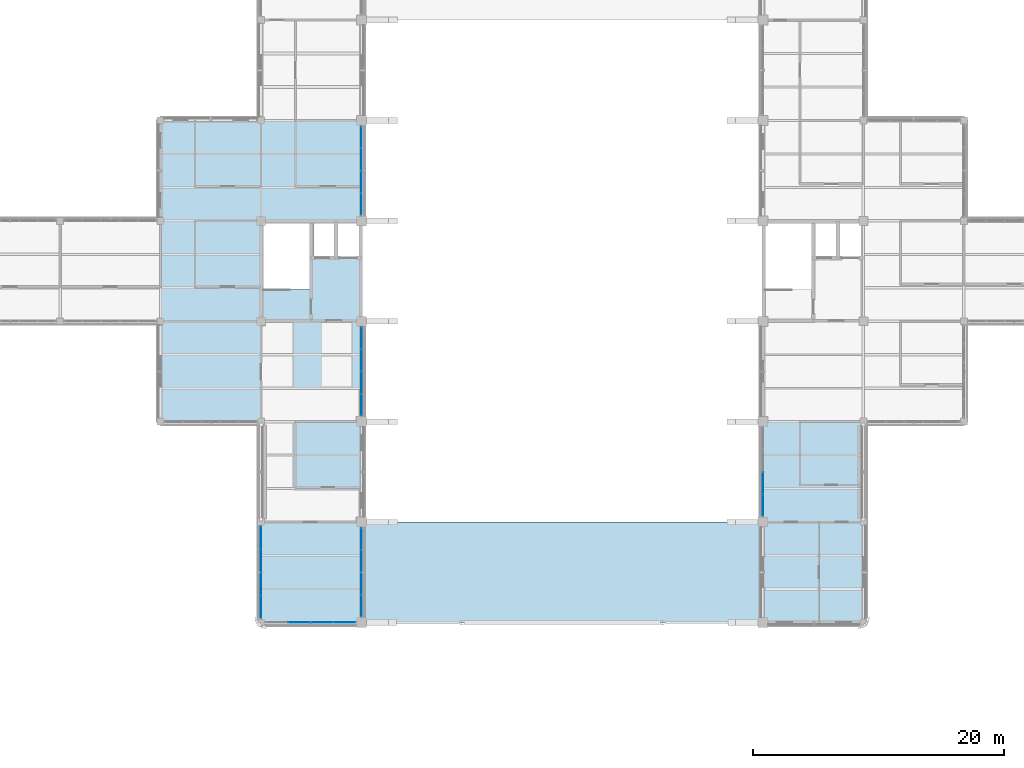
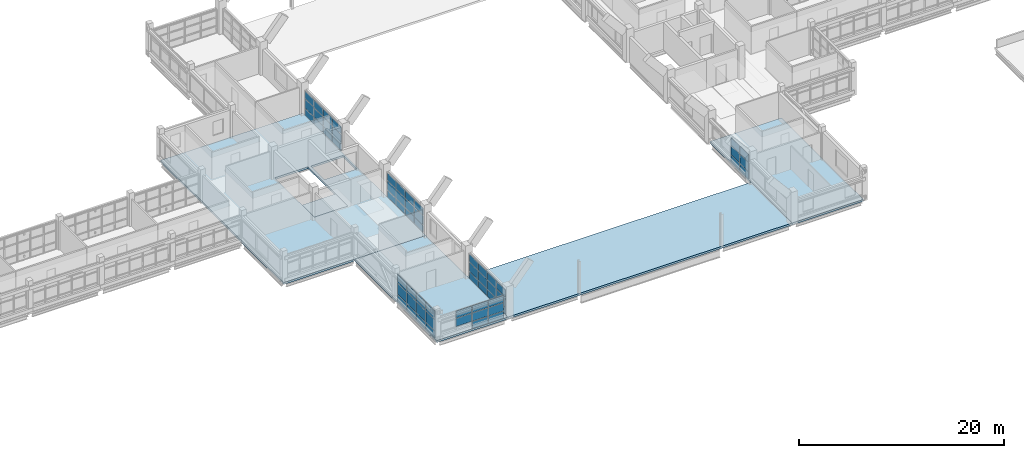
# One storey, part 51 of 92: 62 plates, 5 slabs, 6 elements without a shape of their own.
"""IFC4 building model written with IfcOpenShell, lengths in metres."""

from ifc_helpers import new_model, si_unit, derived_unit, direction, frame, origin, origin_2d, place, context, subcontext, project, spatial, polyline, rectangle, outline, extrude, material, layer, layer_set, type_object, element, aggregate, save


model = new_model("IFC4")

# Units and contexts
model_context = context("Model", 3, precision=1e-05, world=origin(), true_north=direction((0.0, 1.0)))
body_context = subcontext(model_context, "Body", "Model", "MODEL_VIEW")
ifc_project = project(units=[si_unit("LENGTHUNIT", "METRE"), si_unit("AREAUNIT", "SQUARE_METRE"), si_unit("VOLUMEUNIT", "CUBIC_METRE"), si_unit("PLANEANGLEUNIT", "RADIAN"), si_unit("MASSUNIT", "GRAM", prefix="KILO"), derived_unit("THERMALTRANSMITTANCEUNIT", [(si_unit("MASSUNIT", "GRAM", prefix="KILO"), 1), (si_unit("TIMEUNIT", "SECOND"), -3), (si_unit("THERMODYNAMICTEMPERATUREUNIT", "KELVIN"), -1)])], contexts=[model_context])

# Site, building, storey
site_placement = place(None, origin())
site = spatial("IfcSite", under=ifc_project, at=site_placement, CompositionType="ELEMENT")
building_placement = place(site_placement, origin())
building = spatial("IfcBuilding", under=site, at=building_placement, Name="Veyamyaing Civic Hall", CompositionType="ELEMENT")
storey_placement = place(building_placement, frame((0.0, 0.0, 17.820068359375)))
storey = spatial("IfcBuildingStorey", under=building, at=storey_placement, Name="L04", CompositionType="ELEMENT", Elevation=17.820068359375)

# Curtain wall, plates
ifc_material_1 = material(Name="Anodised aluminium 6063-T6", Category="aluminium")
ifc_layer_1 = layer(ifc_material_1, 0.159912109375, Name="Anodised aluminium 6063-T6")
ifc_layer_set_1 = layer_set([ifc_layer_1], Name="Anodised aluminium 6063-T6")
curtain_wall_type = type_object("IfcCurtainWallType", Name="CW-08", PredefinedType="NOTDEFINED", material=ifc_layer_set_1)
curtain_wall_1_placement = place(storey_placement, origin())
curtain_wall_1 = element("IfcCurtainWall", 1, at=curtain_wall_1_placement, inside=storey, type_object=curtain_wall_type, Name="Unitized curtain wall CW-08 L04 E 9.6", PredefinedType="NOTDEFINED")
ifc_material_2 = material(Name="Low-E insulated glass", Category="glass")
ifc_layer_2 = layer(ifc_material_2, 0.028076171875, Name="Low-E insulated glass")
ifc_layer_set_2 = layer_set([ifc_layer_2], Name="Low-E insulated glass")
plate_type_1 = type_object("IfcPlateType", Name="CWP-01", PredefinedType="CURTAIN_PANEL", material=ifc_layer_set_2)
plate_1_placement = place(storey_placement, frame((72.0, 41.3388671875, 0.06494140625), z_axis=(0.0, 0.0, 1.0), x_axis=(0.0, 1.0, 0.0)))
plate_1 = element("IfcPlate", 2, at=plate_1_placement, type_object=plate_type_1, Name="CW-08 panel 1.1", PredefinedType="CURTAIN_PANEL", context=body_context, shape_type="SweptSolid", body=[
    extrude(rectangle(XDim=1.6875, YDim=0.028076171875, at=origin_2d()), origin(), (0.0, 0.0, 1.0), 0.802490234375),
])
plate_2_placement = place(storey_placement, frame((72.0, 41.3388671875, 0.9326171875), z_axis=(0.0, 0.0, 1.0), x_axis=(0.0, 1.0, 0.0)))
plate_2 = element("IfcPlate", 3, at=plate_2_placement, type_object=plate_type_1, Name="CW-08 panel 1.2", PredefinedType="CURTAIN_PANEL", context=body_context, shape_type="SweptSolid", body=[
    extrude(rectangle(XDim=1.6875, YDim=0.028076171875, at=origin_2d()), origin(), (0.0, 0.0, 1.0), 1.076416015625),
])
plate_3_placement = place(storey_placement, frame((72.0, 41.3388671875, 2.07373046875), z_axis=(0.0, 0.0, 1.0), x_axis=(0.0, 1.0, 0.0)))
plate_3 = element("IfcPlate", 4, at=plate_3_placement, type_object=plate_type_1, Name="CW-08 panel 1.3", PredefinedType="CURTAIN_PANEL", context=body_context, shape_type="SweptSolid", body=[
    extrude(rectangle(XDim=1.6875, YDim=0.028076171875, at=origin_2d()), origin(), (0.0, 0.0, 1.0), 0.863037109375),
])
plate_4_placement = place(storey_placement, frame((72.0, 43.107421875, 0.06494140625), z_axis=(0.0, 0.0, 1.0), x_axis=(0.0, 1.0, 0.0)))
plate_4 = element("IfcPlate", 5, at=plate_4_placement, type_object=plate_type_1, Name="CW-08 panel 2.1", PredefinedType="CURTAIN_PANEL", context=body_context, shape_type="SweptSolid", body=[
    extrude(rectangle(XDim=1.719970703125, YDim=0.028076171875, at=origin_2d()), origin(), (0.0, 0.0, 1.0), 0.802490234375),
])
plate_5_placement = place(storey_placement, frame((72.0, 43.107421875, 0.9326171875), z_axis=(0.0, 0.0, 1.0), x_axis=(0.0, 1.0, 0.0)))
plate_5 = element("IfcPlate", 6, at=plate_5_placement, type_object=plate_type_1, Name="CW-08 panel 2.2", PredefinedType="CURTAIN_PANEL", context=body_context, shape_type="SweptSolid", body=[
    extrude(rectangle(XDim=1.719970703125, YDim=0.028076171875, at=origin_2d()), origin(), (0.0, 0.0, 1.0), 1.076416015625),
])
plate_6_placement = place(storey_placement, frame((72.0, 43.107421875, 2.07373046875), z_axis=(0.0, 0.0, 1.0), x_axis=(0.0, 1.0, 0.0)))
plate_6 = element("IfcPlate", 7, at=plate_6_placement, type_object=plate_type_1, Name="CW-08 panel 2.3", PredefinedType="CURTAIN_PANEL", context=body_context, shape_type="SweptSolid", body=[
    extrude(rectangle(XDim=1.719970703125, YDim=0.028076171875, at=origin_2d()), origin(), (0.0, 0.0, 1.0), 0.863037109375),
])
plate_7_placement = place(storey_placement, frame((72.0, 44.892578125, 0.06494140625), z_axis=(0.0, 0.0, 1.0), x_axis=(0.0, 1.0, 0.0)))
plate_7 = element("IfcPlate", 8, at=plate_7_placement, type_object=plate_type_1, Name="CW-08 panel 3.1", PredefinedType="CURTAIN_PANEL", context=body_context, shape_type="SweptSolid", body=[
    extrude(rectangle(XDim=1.719970703125, YDim=0.028076171875, at=origin_2d()), origin(), (0.0, 0.0, 1.0), 0.802490234375),
])
plate_8_placement = place(storey_placement, frame((72.0, 44.892578125, 0.9326171875), z_axis=(0.0, 0.0, 1.0), x_axis=(0.0, 1.0, 0.0)))
plate_8 = element("IfcPlate", 9, at=plate_8_placement, type_object=plate_type_1, Name="CW-08 panel 3.2", PredefinedType="CURTAIN_PANEL", context=body_context, shape_type="SweptSolid", body=[
    extrude(rectangle(XDim=1.719970703125, YDim=0.028076171875, at=origin_2d()), origin(), (0.0, 0.0, 1.0), 1.076416015625),
])
plate_9_placement = place(storey_placement, frame((72.0, 44.892578125, 2.07373046875), z_axis=(0.0, 0.0, 1.0), x_axis=(0.0, 1.0, 0.0)))
plate_9 = element("IfcPlate", 10, at=plate_9_placement, type_object=plate_type_1, Name="CW-08 panel 3.3", PredefinedType="CURTAIN_PANEL", context=body_context, shape_type="SweptSolid", body=[
    extrude(rectangle(XDim=1.719970703125, YDim=0.028076171875, at=origin_2d()), origin(), (0.0, 0.0, 1.0), 0.863037109375),
])
plate_10_placement = place(storey_placement, frame((72.0, 46.6611328125, 0.06494140625), z_axis=(0.0, 0.0, 1.0), x_axis=(0.0, 1.0, 0.0)))
plate_10 = element("IfcPlate", 11, at=plate_10_placement, type_object=plate_type_1, Name="CW-08 panel 4.1", PredefinedType="CURTAIN_PANEL", context=body_context, shape_type="SweptSolid", body=[
    extrude(rectangle(XDim=1.6875, YDim=0.028076171875, at=origin_2d()), origin(), (0.0, 0.0, 1.0), 0.802490234375),
])
plate_11_placement = place(storey_placement, frame((72.0, 46.6611328125, 0.9326171875), z_axis=(0.0, 0.0, 1.0), x_axis=(0.0, 1.0, 0.0)))
plate_11 = element("IfcPlate", 12, at=plate_11_placement, type_object=plate_type_1, Name="CW-08 panel 4.2", PredefinedType="CURTAIN_PANEL", context=body_context, shape_type="SweptSolid", body=[
    extrude(rectangle(XDim=1.6875, YDim=0.028076171875, at=origin_2d()), origin(), (0.0, 0.0, 1.0), 1.076416015625),
])
plate_12_placement = place(storey_placement, frame((72.0, 46.6611328125, 2.07373046875), z_axis=(0.0, 0.0, 1.0), x_axis=(0.0, 1.0, 0.0)))
plate_12 = element("IfcPlate", 13, at=plate_12_placement, type_object=plate_type_1, Name="CW-08 panel 4.3", PredefinedType="CURTAIN_PANEL", context=body_context, shape_type="SweptSolid", body=[
    extrude(rectangle(XDim=1.6875, YDim=0.028076171875, at=origin_2d()), origin(), (0.0, 0.0, 1.0), 0.863037109375),
])
aggregate(curtain_wall_1, [plate_1, plate_2, plate_3, plate_4, plate_5, plate_6, plate_7, plate_8, plate_9, plate_10, plate_11, plate_12])

curtain_wall_2_placement = place(storey_placement, origin())
curtain_wall_2 = element("IfcCurtainWall", 14, at=curtain_wall_2_placement, inside=storey, type_object=curtain_wall_type, Name="Unitized curtain wall CW-08 L04 E 9.8", PredefinedType="NOTDEFINED")
ifc_layer_3 = layer(ifc_material_2, 0.035888671875, Name="Low-E insulated glass")
ifc_layer_set_3 = layer_set([ifc_layer_3], Name="Low-E insulated glass")
plate_type_2 = type_object("IfcPlateType", Name="CWP-03", PredefinedType="CURTAIN_PANEL", material=ifc_layer_set_3)
plate_13_placement = place(storey_placement, frame((72.0, 57.3388671875, 0.06494140625), z_axis=(0.0, 0.0, 1.0), x_axis=(0.0, 1.0, 0.0)))
plate_13 = element("IfcPlate", 15, at=plate_13_placement, type_object=plate_type_2, Name="CW-08 panel 1.1", PredefinedType="CURTAIN_PANEL", context=body_context, shape_type="SweptSolid", body=[
    extrude(rectangle(XDim=1.6875, YDim=0.035888671875, at=origin_2d()), origin(), (0.0, 0.0, 1.0), 0.802490234375),
])
plate_14_placement = place(storey_placement, frame((72.0, 57.3388671875, 0.9326171875), z_axis=(0.0, 0.0, 1.0), x_axis=(0.0, 1.0, 0.0)))
plate_14 = element("IfcPlate", 16, at=plate_14_placement, type_object=plate_type_2, Name="CW-08 panel 1.2", PredefinedType="CURTAIN_PANEL", context=body_context, shape_type="SweptSolid", body=[
    extrude(rectangle(XDim=1.6875, YDim=0.035888671875, at=origin_2d()), origin(), (0.0, 0.0, 1.0), 1.076416015625),
])
plate_15_placement = place(storey_placement, frame((72.0, 57.3388671875, 2.07373046875), z_axis=(0.0, 0.0, 1.0), x_axis=(0.0, 1.0, 0.0)))
plate_15 = element("IfcPlate", 17, at=plate_15_placement, type_object=plate_type_2, Name="CW-08 panel 1.3", PredefinedType="CURTAIN_PANEL", context=body_context, shape_type="SweptSolid", body=[
    extrude(rectangle(XDim=1.6875, YDim=0.035888671875, at=origin_2d()), origin(), (0.0, 0.0, 1.0), 0.863037109375),
])
plate_16_placement = place(storey_placement, frame((72.0, 59.107421875, 0.06494140625), z_axis=(0.0, 0.0, 1.0), x_axis=(0.0, 1.0, 0.0)))
plate_16 = element("IfcPlate", 18, at=plate_16_placement, type_object=plate_type_2, Name="CW-08 panel 2.1", PredefinedType="CURTAIN_PANEL", context=body_context, shape_type="SweptSolid", body=[
    extrude(rectangle(XDim=1.719970703125, YDim=0.035888671875, at=origin_2d()), origin(), (0.0, 0.0, 1.0), 0.802490234375),
])
plate_17_placement = place(storey_placement, frame((72.0, 59.107421875, 0.9326171875), z_axis=(0.0, 0.0, 1.0), x_axis=(0.0, 1.0, 0.0)))
plate_17 = element("IfcPlate", 19, at=plate_17_placement, type_object=plate_type_2, Name="CW-08 panel 2.2", PredefinedType="CURTAIN_PANEL", context=body_context, shape_type="SweptSolid", body=[
    extrude(rectangle(XDim=1.719970703125, YDim=0.035888671875, at=origin_2d()), origin(), (0.0, 0.0, 1.0), 1.076416015625),
])
plate_18_placement = place(storey_placement, frame((72.0, 59.107421875, 2.07373046875), z_axis=(0.0, 0.0, 1.0), x_axis=(0.0, 1.0, 0.0)))
plate_18 = element("IfcPlate", 20, at=plate_18_placement, type_object=plate_type_2, Name="CW-08 panel 2.3", PredefinedType="CURTAIN_PANEL", context=body_context, shape_type="SweptSolid", body=[
    extrude(rectangle(XDim=1.719970703125, YDim=0.035888671875, at=origin_2d()), origin(), (0.0, 0.0, 1.0), 0.863037109375),
])
plate_19_placement = place(storey_placement, frame((72.0, 60.892578125, 0.06494140625), z_axis=(0.0, 0.0, 1.0), x_axis=(0.0, 1.0, 0.0)))
plate_19 = element("IfcPlate", 21, at=plate_19_placement, type_object=plate_type_2, Name="CW-08 panel 3.1", PredefinedType="CURTAIN_PANEL", context=body_context, shape_type="SweptSolid", body=[
    extrude(rectangle(XDim=1.719970703125, YDim=0.035888671875, at=origin_2d()), origin(), (0.0, 0.0, 1.0), 0.802490234375),
])
plate_20_placement = place(storey_placement, frame((72.0, 60.892578125, 0.9326171875), z_axis=(0.0, 0.0, 1.0), x_axis=(0.0, 1.0, 0.0)))
plate_20 = element("IfcPlate", 22, at=plate_20_placement, type_object=plate_type_2, Name="CW-08 panel 3.2", PredefinedType="CURTAIN_PANEL", context=body_context, shape_type="SweptSolid", body=[
    extrude(rectangle(XDim=1.719970703125, YDim=0.035888671875, at=origin_2d()), origin(), (0.0, 0.0, 1.0), 1.076416015625),
])
plate_21_placement = place(storey_placement, frame((72.0, 60.892578125, 2.07373046875), z_axis=(0.0, 0.0, 1.0), x_axis=(0.0, 1.0, 0.0)))
plate_21 = element("IfcPlate", 23, at=plate_21_placement, type_object=plate_type_2, Name="CW-08 panel 3.3", PredefinedType="CURTAIN_PANEL", context=body_context, shape_type="SweptSolid", body=[
    extrude(rectangle(XDim=1.719970703125, YDim=0.035888671875, at=origin_2d()), origin(), (0.0, 0.0, 1.0), 0.863037109375),
])
plate_22_placement = place(storey_placement, frame((72.0, 62.6611328125, 0.06494140625), z_axis=(0.0, 0.0, 1.0), x_axis=(0.0, 1.0, 0.0)))
plate_22 = element("IfcPlate", 24, at=plate_22_placement, type_object=plate_type_2, Name="CW-08 panel 4.1", PredefinedType="CURTAIN_PANEL", context=body_context, shape_type="SweptSolid", body=[
    extrude(rectangle(XDim=1.6875, YDim=0.035888671875, at=origin_2d()), origin(), (0.0, 0.0, 1.0), 0.802490234375),
])
plate_23_placement = place(storey_placement, frame((72.0, 62.6611328125, 0.9326171875), z_axis=(0.0, 0.0, 1.0), x_axis=(0.0, 1.0, 0.0)))
plate_23 = element("IfcPlate", 25, at=plate_23_placement, type_object=plate_type_2, Name="CW-08 panel 4.2", PredefinedType="CURTAIN_PANEL", context=body_context, shape_type="SweptSolid", body=[
    extrude(rectangle(XDim=1.6875, YDim=0.035888671875, at=origin_2d()), origin(), (0.0, 0.0, 1.0), 1.076416015625),
])
plate_24_placement = place(storey_placement, frame((72.0, 62.6611328125, 2.07373046875), z_axis=(0.0, 0.0, 1.0), x_axis=(0.0, 1.0, 0.0)))
plate_24 = element("IfcPlate", 26, at=plate_24_placement, type_object=plate_type_2, Name="CW-08 panel 4.3", PredefinedType="CURTAIN_PANEL", context=body_context, shape_type="SweptSolid", body=[
    extrude(rectangle(XDim=1.6875, YDim=0.035888671875, at=origin_2d()), origin(), (0.0, 0.0, 1.0), 0.863037109375),
])
aggregate(curtain_wall_2, [plate_13, plate_14, plate_15, plate_16, plate_17, plate_18, plate_19, plate_20, plate_21, plate_22, plate_23, plate_24])

curtain_wall_3_placement = place(storey_placement, origin())
curtain_wall_3 = element("IfcCurtainWall", 27, at=curtain_wall_3_placement, inside=storey, type_object=curtain_wall_type, Name="Unitized curtain wall CW-08 L04 S 9.4", PredefinedType="NOTDEFINED")
ifc_layer_4 = layer(ifc_material_2, 0.0400390625, Name="Low-E insulated glass")
ifc_layer_set_4 = layer_set([ifc_layer_4], Name="Low-E insulated glass")
plate_type_3 = type_object("IfcPlateType", Name="CWP-05", PredefinedType="CURTAIN_PANEL", material=ifc_layer_set_4)
plate_25_placement = place(storey_placement, frame((67.029296875, 24.0, 0.932373046875), z_axis=(0.0, 0.0, 1.0), x_axis=(1.0, 0.0, 0.0)))
plate_25 = element("IfcPlate", 28, at=plate_25_placement, type_object=plate_type_3, Name="CW-08 panel 2.2", PredefinedType="CURTAIN_PANEL", context=body_context, shape_type="SweptSolid", body=[
    extrude(rectangle(XDim=1.751220703125, YDim=0.0400390625, at=origin_2d()), origin(), (0.0, 0.0, 1.0), 0.95068359375),
])
plate_26_placement = place(storey_placement, frame((67.029296875, 24.0, 1.9482421875), z_axis=(0.0, 0.0, 1.0), x_axis=(1.0, 0.0, 0.0)))
plate_26 = element("IfcPlate", 29, at=plate_26_placement, type_object=plate_type_3, Name="CW-08 panel 2.3", PredefinedType="CURTAIN_PANEL", context=body_context, shape_type="SweptSolid", body=[
    extrude(rectangle(XDim=1.751220703125, YDim=0.0400390625, at=origin_2d()), origin(), (0.0, 0.0, 1.0), 0.803955078125),
])
plate_27_placement = place(storey_placement, frame((68.845703125, 24.0, 0.06494140625), z_axis=(0.0, 0.0, 1.0), x_axis=(1.0, 0.0, 0.0)))
plate_27 = element("IfcPlate", 30, at=plate_27_placement, type_object=plate_type_3, Name="CW-08 panel 3.1", PredefinedType="CURTAIN_PANEL", context=body_context, shape_type="SweptSolid", body=[
    extrude(rectangle(XDim=1.751220703125, YDim=0.0400390625, at=origin_2d()), origin(), (0.0, 0.0, 1.0), 0.802490234375),
])
plate_28_placement = place(storey_placement, frame((68.845703125, 24.0, 0.932373046875), z_axis=(0.0, 0.0, 1.0), x_axis=(1.0, 0.0, 0.0)))
plate_28 = element("IfcPlate", 31, at=plate_28_placement, type_object=plate_type_3, Name="CW-08 panel 3.2", PredefinedType="CURTAIN_PANEL", context=body_context, shape_type="SweptSolid", body=[
    extrude(rectangle(XDim=1.751220703125, YDim=0.0400390625, at=origin_2d()), origin(), (0.0, 0.0, 1.0), 0.95068359375),
])
plate_29_placement = place(storey_placement, frame((68.845703125, 24.0, 1.9482421875), z_axis=(0.0, 0.0, 1.0), x_axis=(1.0, 0.0, 0.0)))
plate_29 = element("IfcPlate", 32, at=plate_29_placement, type_object=plate_type_3, Name="CW-08 panel 3.3", PredefinedType="CURTAIN_PANEL", context=body_context, shape_type="SweptSolid", body=[
    extrude(rectangle(XDim=1.751220703125, YDim=0.0400390625, at=origin_2d()), origin(), (0.0, 0.0, 1.0), 0.803955078125),
])
plate_30_placement = place(storey_placement, frame((70.6455078125, 24.0, 0.06494140625), z_axis=(0.0, 0.0, 1.0), x_axis=(1.0, 0.0, 0.0)))
plate_30 = element("IfcPlate", 33, at=plate_30_placement, type_object=plate_type_3, Name="CW-08 panel 4.1", PredefinedType="CURTAIN_PANEL", context=body_context, shape_type="SweptSolid", body=[
    extrude(rectangle(XDim=1.71875, YDim=0.0400390625, at=origin_2d()), origin(), (0.0, 0.0, 1.0), 0.802490234375),
])
plate_31_placement = place(storey_placement, frame((70.6455078125, 24.0, 0.932373046875), z_axis=(0.0, 0.0, 1.0), x_axis=(1.0, 0.0, 0.0)))
plate_31 = element("IfcPlate", 34, at=plate_31_placement, type_object=plate_type_3, Name="CW-08 panel 4.2", PredefinedType="CURTAIN_PANEL", context=body_context, shape_type="SweptSolid", body=[
    extrude(rectangle(XDim=1.71875, YDim=0.0400390625, at=origin_2d()), origin(), (0.0, 0.0, 1.0), 0.95068359375),
])
plate_32_placement = place(storey_placement, frame((70.6455078125, 24.0, 1.9482421875), z_axis=(0.0, 0.0, 1.0), x_axis=(1.0, 0.0, 0.0)))
plate_32 = element("IfcPlate", 35, at=plate_32_placement, type_object=plate_type_3, Name="CW-08 panel 4.3", PredefinedType="CURTAIN_PANEL", context=body_context, shape_type="SweptSolid", body=[
    extrude(rectangle(XDim=1.71875, YDim=0.0400390625, at=origin_2d()), origin(), (0.0, 0.0, 1.0), 0.803955078125),
])
aggregate(curtain_wall_3, [plate_25, plate_26, plate_27, plate_28, plate_29, plate_30, plate_31, plate_32])

curtain_wall_4_placement = place(storey_placement, origin())
curtain_wall_4 = element("IfcCurtainWall", 36, at=curtain_wall_4_placement, inside=storey, type_object=curtain_wall_type, Name="Unitized curtain wall CW-08 L04 W 9.4", PredefinedType="NOTDEFINED")
plate_33_placement = place(storey_placement, frame((64.0, 25.2451171875, 0.06494140625), z_axis=(0.0, 0.0, 1.0), x_axis=(0.0, 1.0, 0.0)))
plate_33 = element("IfcPlate", 37, at=plate_33_placement, type_object=plate_type_3, Name="CW-08 panel 1.1", PredefinedType="CURTAIN_PANEL", context=body_context, shape_type="SweptSolid", body=[
    extrude(rectangle(XDim=1.75, YDim=0.0400390625, at=origin_2d()), origin(), (0.0, 0.0, 1.0), 0.802490234375),
])
plate_34_placement = place(storey_placement, frame((64.0, 25.2451171875, 0.932373046875), z_axis=(0.0, 0.0, 1.0), x_axis=(0.0, 1.0, 0.0)))
plate_34 = element("IfcPlate", 38, at=plate_34_placement, type_object=plate_type_3, Name="CW-08 panel 1.2", PredefinedType="CURTAIN_PANEL", context=body_context, shape_type="SweptSolid", body=[
    extrude(rectangle(XDim=1.75, YDim=0.0400390625, at=origin_2d()), origin(), (0.0, 0.0, 1.0), 1.314453125),
])
plate_35_placement = place(storey_placement, frame((64.0, 25.2451171875, 2.311767578125), z_axis=(0.0, 0.0, 1.0), x_axis=(0.0, 1.0, 0.0)))
plate_35 = element("IfcPlate", 39, at=plate_35_placement, type_object=plate_type_3, Name="CW-08 panel 1.3", PredefinedType="CURTAIN_PANEL", context=body_context, shape_type="SweptSolid", body=[
    extrude(rectangle(XDim=1.75, YDim=0.0400390625, at=origin_2d()), origin(), (0.0, 0.0, 1.0), 0.97509765625),
])
plate_36_placement = place(storey_placement, frame((64.0, 27.076171875, 0.06494140625), z_axis=(0.0, 0.0, 1.0), x_axis=(0.0, 1.0, 0.0)))
plate_36 = element("IfcPlate", 40, at=plate_36_placement, type_object=plate_type_3, Name="CW-08 panel 2.1", PredefinedType="CURTAIN_PANEL", context=body_context, shape_type="SweptSolid", body=[
    extrude(rectangle(XDim=1.782470703125, YDim=0.0400390625, at=origin_2d()), origin(), (0.0, 0.0, 1.0), 0.802490234375),
])
plate_37_placement = place(storey_placement, frame((64.0, 27.076171875, 0.932373046875), z_axis=(0.0, 0.0, 1.0), x_axis=(0.0, 1.0, 0.0)))
plate_37 = element("IfcPlate", 41, at=plate_37_placement, type_object=plate_type_3, Name="CW-08 panel 2.2", PredefinedType="CURTAIN_PANEL", context=body_context, shape_type="SweptSolid", body=[
    extrude(rectangle(XDim=1.782470703125, YDim=0.0400390625, at=origin_2d()), origin(), (0.0, 0.0, 1.0), 1.314453125),
])
plate_38_placement = place(storey_placement, frame((64.0, 27.076171875, 2.311767578125), z_axis=(0.0, 0.0, 1.0), x_axis=(0.0, 1.0, 0.0)))
plate_38 = element("IfcPlate", 42, at=plate_38_placement, type_object=plate_type_3, Name="CW-08 panel 2.3", PredefinedType="CURTAIN_PANEL", context=body_context, shape_type="SweptSolid", body=[
    extrude(rectangle(XDim=1.782470703125, YDim=0.0400390625, at=origin_2d()), origin(), (0.0, 0.0, 1.0), 0.97509765625),
])
plate_39_placement = place(storey_placement, frame((64.0, 28.923828125, 0.06494140625), z_axis=(0.0, 0.0, 1.0), x_axis=(0.0, 1.0, 0.0)))
plate_39 = element("IfcPlate", 43, at=plate_39_placement, type_object=plate_type_3, Name="CW-08 panel 3.1", PredefinedType="CURTAIN_PANEL", context=body_context, shape_type="SweptSolid", body=[
    extrude(rectangle(XDim=1.782470703125, YDim=0.0400390625, at=origin_2d()), origin(), (0.0, 0.0, 1.0), 0.802490234375),
])
plate_40_placement = place(storey_placement, frame((64.0, 28.923828125, 0.932373046875), z_axis=(0.0, 0.0, 1.0), x_axis=(0.0, 1.0, 0.0)))
plate_40 = element("IfcPlate", 44, at=plate_40_placement, type_object=plate_type_3, Name="CW-08 panel 3.2", PredefinedType="CURTAIN_PANEL", context=body_context, shape_type="SweptSolid", body=[
    extrude(rectangle(XDim=1.782470703125, YDim=0.0400390625, at=origin_2d()), origin(), (0.0, 0.0, 1.0), 1.314453125),
])
plate_41_placement = place(storey_placement, frame((64.0, 28.923828125, 2.311767578125), z_axis=(0.0, 0.0, 1.0), x_axis=(0.0, 1.0, 0.0)))
plate_41 = element("IfcPlate", 45, at=plate_41_placement, type_object=plate_type_3, Name="CW-08 panel 3.3", PredefinedType="CURTAIN_PANEL", context=body_context, shape_type="SweptSolid", body=[
    extrude(rectangle(XDim=1.782470703125, YDim=0.0400390625, at=origin_2d()), origin(), (0.0, 0.0, 1.0), 0.97509765625),
])
plate_42_placement = place(storey_placement, frame((64.0, 30.7548828125, 0.06494140625), z_axis=(0.0, 0.0, 1.0), x_axis=(0.0, 1.0, 0.0)))
plate_42 = element("IfcPlate", 46, at=plate_42_placement, type_object=plate_type_3, Name="CW-08 panel 4.1", PredefinedType="CURTAIN_PANEL", context=body_context, shape_type="SweptSolid", body=[
    extrude(rectangle(XDim=1.75, YDim=0.0400390625, at=origin_2d()), origin(), (0.0, 0.0, 1.0), 0.802490234375),
])
plate_43_placement = place(storey_placement, frame((64.0, 30.7548828125, 0.932373046875), z_axis=(0.0, 0.0, 1.0), x_axis=(0.0, 1.0, 0.0)))
plate_43 = element("IfcPlate", 47, at=plate_43_placement, type_object=plate_type_3, Name="CW-08 panel 4.2", PredefinedType="CURTAIN_PANEL", context=body_context, shape_type="SweptSolid", body=[
    extrude(rectangle(XDim=1.75, YDim=0.0400390625, at=origin_2d()), origin(), (0.0, 0.0, 1.0), 1.314453125),
])
plate_44_placement = place(storey_placement, frame((64.0, 30.7548828125, 2.311767578125), z_axis=(0.0, 0.0, 1.0), x_axis=(0.0, 1.0, 0.0)))
plate_44 = element("IfcPlate", 48, at=plate_44_placement, type_object=plate_type_3, Name="CW-08 panel 4.3", PredefinedType="CURTAIN_PANEL", context=body_context, shape_type="SweptSolid", body=[
    extrude(rectangle(XDim=1.75, YDim=0.0400390625, at=origin_2d()), origin(), (0.0, 0.0, 1.0), 0.97509765625),
])
aggregate(curtain_wall_4, [plate_33, plate_34, plate_35, plate_36, plate_37, plate_38, plate_39, plate_40, plate_41, plate_42, plate_43, plate_44])

curtain_wall_5_placement = place(storey_placement, origin())
curtain_wall_5 = element("IfcCurtainWall", 49, at=curtain_wall_5_placement, inside=storey, type_object=curtain_wall_type, Name="Unitized curtain wall CW-08 L04 E 9.4", PredefinedType="NOTDEFINED")
plate_45_placement = place(storey_placement, frame((72.0, 25.3388671875, 0.06494140625), z_axis=(0.0, 0.0, 1.0), x_axis=(0.0, 1.0, 0.0)))
plate_45 = element("IfcPlate", 50, at=plate_45_placement, type_object=plate_type_3, Name="CW-08 panel 1.1", PredefinedType="CURTAIN_PANEL", context=body_context, shape_type="SweptSolid", body=[
    extrude(rectangle(XDim=1.6875, YDim=0.0400390625, at=origin_2d()), origin(), (0.0, 0.0, 1.0), 0.802490234375),
])
plate_46_placement = place(storey_placement, frame((72.0, 25.3388671875, 0.9326171875), z_axis=(0.0, 0.0, 1.0), x_axis=(0.0, 1.0, 0.0)))
plate_46 = element("IfcPlate", 51, at=plate_46_placement, type_object=plate_type_3, Name="CW-08 panel 1.2", PredefinedType="CURTAIN_PANEL", context=body_context, shape_type="SweptSolid", body=[
    extrude(rectangle(XDim=1.6875, YDim=0.0400390625, at=origin_2d()), origin(), (0.0, 0.0, 1.0), 1.076416015625),
])
plate_47_placement = place(storey_placement, frame((72.0, 25.3388671875, 2.07373046875), z_axis=(0.0, 0.0, 1.0), x_axis=(0.0, 1.0, 0.0)))
plate_47 = element("IfcPlate", 52, at=plate_47_placement, type_object=plate_type_3, Name="CW-08 panel 1.3", PredefinedType="CURTAIN_PANEL", context=body_context, shape_type="SweptSolid", body=[
    extrude(rectangle(XDim=1.6875, YDim=0.0400390625, at=origin_2d()), origin(), (0.0, 0.0, 1.0), 0.863037109375),
])
plate_48_placement = place(storey_placement, frame((72.0, 27.107421875, 0.06494140625), z_axis=(0.0, 0.0, 1.0), x_axis=(0.0, 1.0, 0.0)))
plate_48 = element("IfcPlate", 53, at=plate_48_placement, type_object=plate_type_3, Name="CW-08 panel 2.1", PredefinedType="CURTAIN_PANEL", context=body_context, shape_type="SweptSolid", body=[
    extrude(rectangle(XDim=1.719970703125, YDim=0.0400390625, at=origin_2d()), origin(), (0.0, 0.0, 1.0), 0.802490234375),
])
plate_49_placement = place(storey_placement, frame((72.0, 27.107421875, 0.9326171875), z_axis=(0.0, 0.0, 1.0), x_axis=(0.0, 1.0, 0.0)))
plate_49 = element("IfcPlate", 54, at=plate_49_placement, type_object=plate_type_3, Name="CW-08 panel 2.2", PredefinedType="CURTAIN_PANEL", context=body_context, shape_type="SweptSolid", body=[
    extrude(rectangle(XDim=1.719970703125, YDim=0.0400390625, at=origin_2d()), origin(), (0.0, 0.0, 1.0), 1.076416015625),
])
plate_50_placement = place(storey_placement, frame((72.0, 27.107421875, 2.07373046875), z_axis=(0.0, 0.0, 1.0), x_axis=(0.0, 1.0, 0.0)))
plate_50 = element("IfcPlate", 55, at=plate_50_placement, type_object=plate_type_3, Name="CW-08 panel 2.3", PredefinedType="CURTAIN_PANEL", context=body_context, shape_type="SweptSolid", body=[
    extrude(rectangle(XDim=1.719970703125, YDim=0.0400390625, at=origin_2d()), origin(), (0.0, 0.0, 1.0), 0.863037109375),
])
plate_51_placement = place(storey_placement, frame((72.0, 28.892578125, 0.06494140625), z_axis=(0.0, 0.0, 1.0), x_axis=(0.0, 1.0, 0.0)))
plate_51 = element("IfcPlate", 56, at=plate_51_placement, type_object=plate_type_3, Name="CW-08 panel 3.1", PredefinedType="CURTAIN_PANEL", context=body_context, shape_type="SweptSolid", body=[
    extrude(rectangle(XDim=1.719970703125, YDim=0.0400390625, at=origin_2d()), origin(), (0.0, 0.0, 1.0), 0.802490234375),
])
plate_52_placement = place(storey_placement, frame((72.0, 28.892578125, 0.9326171875), z_axis=(0.0, 0.0, 1.0), x_axis=(0.0, 1.0, 0.0)))
plate_52 = element("IfcPlate", 57, at=plate_52_placement, type_object=plate_type_3, Name="CW-08 panel 3.2", PredefinedType="CURTAIN_PANEL", context=body_context, shape_type="SweptSolid", body=[
    extrude(rectangle(XDim=1.719970703125, YDim=0.0400390625, at=origin_2d()), origin(), (0.0, 0.0, 1.0), 1.076416015625),
])
plate_53_placement = place(storey_placement, frame((72.0, 28.892578125, 2.07373046875), z_axis=(0.0, 0.0, 1.0), x_axis=(0.0, 1.0, 0.0)))
plate_53 = element("IfcPlate", 58, at=plate_53_placement, type_object=plate_type_3, Name="CW-08 panel 3.3", PredefinedType="CURTAIN_PANEL", context=body_context, shape_type="SweptSolid", body=[
    extrude(rectangle(XDim=1.719970703125, YDim=0.0400390625, at=origin_2d()), origin(), (0.0, 0.0, 1.0), 0.863037109375),
])
plate_54_placement = place(storey_placement, frame((72.0, 30.6611328125, 0.06494140625), z_axis=(0.0, 0.0, 1.0), x_axis=(0.0, 1.0, 0.0)))
plate_54 = element("IfcPlate", 59, at=plate_54_placement, type_object=plate_type_3, Name="CW-08 panel 4.1", PredefinedType="CURTAIN_PANEL", context=body_context, shape_type="SweptSolid", body=[
    extrude(rectangle(XDim=1.6875, YDim=0.0400390625, at=origin_2d()), origin(), (0.0, 0.0, 1.0), 0.802490234375),
])
plate_55_placement = place(storey_placement, frame((72.0, 30.6611328125, 0.9326171875), z_axis=(0.0, 0.0, 1.0), x_axis=(0.0, 1.0, 0.0)))
plate_55 = element("IfcPlate", 60, at=plate_55_placement, type_object=plate_type_3, Name="CW-08 panel 4.2", PredefinedType="CURTAIN_PANEL", context=body_context, shape_type="SweptSolid", body=[
    extrude(rectangle(XDim=1.6875, YDim=0.0400390625, at=origin_2d()), origin(), (0.0, 0.0, 1.0), 1.076416015625),
])
plate_56_placement = place(storey_placement, frame((72.0, 30.6611328125, 2.07373046875), z_axis=(0.0, 0.0, 1.0), x_axis=(0.0, 1.0, 0.0)))
plate_56 = element("IfcPlate", 61, at=plate_56_placement, type_object=plate_type_3, Name="CW-08 panel 4.3", PredefinedType="CURTAIN_PANEL", context=body_context, shape_type="SweptSolid", body=[
    extrude(rectangle(XDim=1.6875, YDim=0.0400390625, at=origin_2d()), origin(), (0.0, 0.0, 1.0), 0.863037109375),
])
aggregate(curtain_wall_5, [plate_45, plate_46, plate_47, plate_48, plate_49, plate_50, plate_51, plate_52, plate_53, plate_54, plate_55, plate_56])

curtain_wall_6_placement = place(storey_placement, origin())
curtain_wall_6 = element("IfcCurtainWall", 62, at=curtain_wall_6_placement, inside=storey, type_object=curtain_wall_type, Name="Unitized curtain wall CW-08 L04 W 14.5", PredefinedType="NOTDEFINED")
plate_57_placement = place(storey_placement, frame((104.0, 33.3388671875, 0.06494140625), z_axis=(0.0, 0.0, 1.0), x_axis=(0.0, 1.0, 0.0)))
plate_57 = element("IfcPlate", 63, at=plate_57_placement, type_object=plate_type_3, Name="CW-08 panel 1.1", PredefinedType="CURTAIN_PANEL", context=body_context, shape_type="SweptSolid", body=[
    extrude(rectangle(XDim=1.6875, YDim=0.0400390625, at=origin_2d()), origin(), (0.0, 0.0, 1.0), 0.802490234375),
])
plate_58_placement = place(storey_placement, frame((104.0, 33.3388671875, 0.9326171875), z_axis=(0.0, 0.0, 1.0), x_axis=(0.0, 1.0, 0.0)))
plate_58 = element("IfcPlate", 64, at=plate_58_placement, type_object=plate_type_3, Name="CW-08 panel 1.2", PredefinedType="CURTAIN_PANEL", context=body_context, shape_type="SweptSolid", body=[
    extrude(rectangle(XDim=1.6875, YDim=0.0400390625, at=origin_2d()), origin(), (0.0, 0.0, 1.0), 1.076416015625),
])
plate_59_placement = place(storey_placement, frame((104.0, 33.3388671875, 2.07373046875), z_axis=(0.0, 0.0, 1.0), x_axis=(0.0, 1.0, 0.0)))
plate_59 = element("IfcPlate", 65, at=plate_59_placement, type_object=plate_type_3, Name="CW-08 panel 1.3", PredefinedType="CURTAIN_PANEL", context=body_context, shape_type="SweptSolid", body=[
    extrude(rectangle(XDim=1.6875, YDim=0.0400390625, at=origin_2d()), origin(), (0.0, 0.0, 1.0), 0.863037109375),
])
plate_60_placement = place(storey_placement, frame((104.0, 35.107421875, 0.06494140625), z_axis=(0.0, 0.0, 1.0), x_axis=(0.0, 1.0, 0.0)))
plate_60 = element("IfcPlate", 66, at=plate_60_placement, type_object=plate_type_3, Name="CW-08 panel 2.1", PredefinedType="CURTAIN_PANEL", context=body_context, shape_type="SweptSolid", body=[
    extrude(rectangle(XDim=1.719970703125, YDim=0.0400390625, at=origin_2d()), origin(), (0.0, 0.0, 1.0), 0.802490234375),
])
plate_61_placement = place(storey_placement, frame((104.0, 35.107421875, 0.9326171875), z_axis=(0.0, 0.0, 1.0), x_axis=(0.0, 1.0, 0.0)))
plate_61 = element("IfcPlate", 67, at=plate_61_placement, type_object=plate_type_3, Name="CW-08 panel 2.2", PredefinedType="CURTAIN_PANEL", context=body_context, shape_type="SweptSolid", body=[
    extrude(rectangle(XDim=1.719970703125, YDim=0.0400390625, at=origin_2d()), origin(), (0.0, 0.0, 1.0), 1.076416015625),
])
plate_62_placement = place(storey_placement, frame((104.0, 35.107421875, 2.07373046875), z_axis=(0.0, 0.0, 1.0), x_axis=(0.0, 1.0, 0.0)))
plate_62 = element("IfcPlate", 68, at=plate_62_placement, type_object=plate_type_3, Name="CW-08 panel 2.3", PredefinedType="CURTAIN_PANEL", context=body_context, shape_type="SweptSolid", body=[
    extrude(rectangle(XDim=1.719970703125, YDim=0.0400390625, at=origin_2d()), origin(), (0.0, 0.0, 1.0), 0.863037109375),
])
aggregate(curtain_wall_6, [plate_57, plate_58, plate_59, plate_60, plate_61, plate_62])

# Slabs
ifc_material_3 = material(Name="Concrete C40/50", Category="concrete")
ifc_layer_5 = layer(ifc_material_3, 0.235107421875, Name="Concrete C40/50")
ifc_layer_set_5 = layer_set([ifc_layer_5], Name="Concrete C40/50")
slab_type_1 = type_object("IfcSlabType", Name="SL-06", PredefinedType="FLOOR", material=ifc_layer_set_5)
slab_1_placement = place(storey_placement, frame((0.0, 0.0, -0.235107421875)))
element("IfcSlab", 69, at=slab_1_placement, inside=storey, type_object=slab_type_1, Name="Floor slab SL-06 L04 V1C.1", PredefinedType="FLOOR", context=body_context, shape_type="SweptSolid", body=[
    extrude(outline(polyline([(56.0, 64.0), (72.0, 64.0), (72.0, 40.0), (56.0, 40.0), (56.0, 64.0)]), holes=[polyline([(64.139892578125, 55.860107421875), (64.139892578125, 48.139892578125), (67.909912109375, 48.139892578125), (67.909912109375, 55.860107421875), (64.139892578125, 55.860107421875)]), polyline([(71.820068359375, 55.820068359375), (68.179931640625, 55.820068359375), (68.179931640625, 53.179931640625), (71.820068359375, 53.179931640625), (71.820068359375, 55.820068359375)])]), origin(), (0.0, 0.0, 1.0), 0.235107421875),
])
slab_2_placement = place(storey_placement, frame((0.0, 0.0, -0.235107421875)))
element("IfcSlab", 70, at=slab_2_placement, inside=storey, type_object=slab_type_1, Name="Floor slab SL-06 L04 V1S.1", PredefinedType="FLOOR", context=body_context, shape_type="SweptSolid", body=[
    extrude(outline(polyline([(64.0, 40.0), (72.0, 40.0), (72.0, 24.0), (64.0, 24.0), (64.0, 40.0)])), origin(), (0.0, 0.0, 1.0), 0.235107421875),
])
slab_3_placement = place(storey_placement, frame((0.0, 0.0, -0.235107421875)))
element("IfcSlab", 71, at=slab_3_placement, inside=storey, type_object=slab_type_1, Name="Floor slab SL-06 L04 V1S.2", PredefinedType="FLOOR", context=body_context, shape_type="SweptSolid", body=[
    extrude(outline(polyline([(104.0, 40.0), (112.0, 40.0), (112.0, 24.0), (104.0, 24.0), (104.0, 40.0)])), origin(), (0.0, 0.0, 1.0), 0.235107421875),
])
ifc_layer_6 = layer(ifc_material_3, 0.239990234375, Name="Concrete C40/50")
ifc_layer_set_6 = layer_set([ifc_layer_6], Name="Concrete C40/50")
slab_type_2 = type_object("IfcSlabType", Name="SL-15", PredefinedType="ROOF", material=ifc_layer_set_6)
slab_4_placement = place(storey_placement, frame((0.0, 0.0, -0.239990234375)))
element("IfcSlab", 72, at=slab_4_placement, inside=storey, type_object=slab_type_2, Name="Roof slab SL-15 L04 V1S.1", PredefinedType="ROOF", context=body_context, shape_type="SweptSolid", body=[
    extrude(outline(polyline([(72.0, 32.0), (104.0, 32.0), (104.0, 24.0), (72.0, 24.0), (72.0, 32.0)])), origin(), (0.0, 0.0, 1.0), 0.239990234375),
])
ifc_layer_7 = layer(ifc_material_3, 0.199951171875, Name="Concrete C40/50")
ifc_layer_set_7 = layer_set([ifc_layer_7], Name="Concrete C40/50")
slab_type_3 = type_object("IfcSlabType", Name="SL-16", PredefinedType="FLOOR", material=ifc_layer_set_7)
slab_5_placement = place(storey_placement, frame((0.0, 0.0, -0.199951171875)))
element("IfcSlab", 73, at=slab_5_placement, inside=storey, type_object=slab_type_3, Name="Stair floor landing slab SL-16 ST-05 L04", PredefinedType="FLOOR", context=body_context, shape_type="SweptSolid", body=[
    extrude(outline(polyline([(64.139892578125, 48.139892578125), (67.909912109375, 48.139892578125), (67.909912109375, 50.52001953125), (64.139892578125, 50.52001953125), (64.139892578125, 48.139892578125)])), origin(), (0.0, 0.0, 1.0), 0.199951171875),
])

save(model, "model.ifc")
